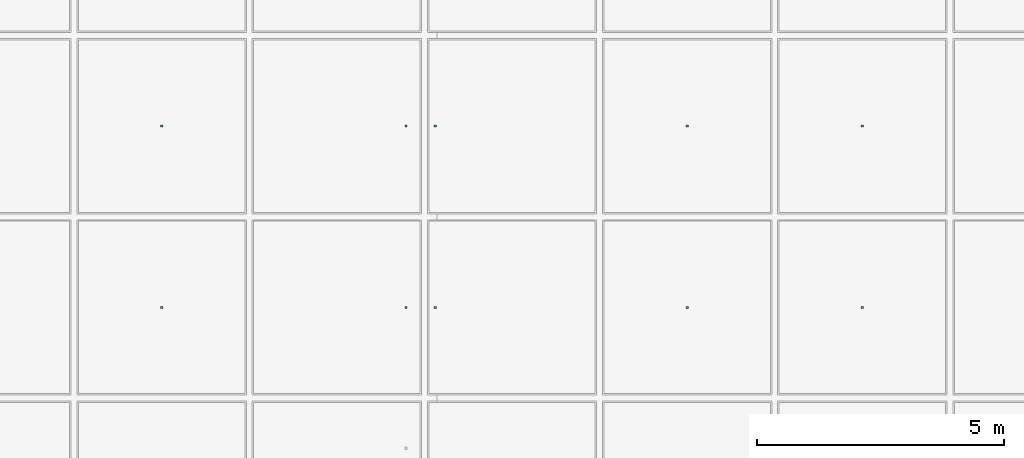
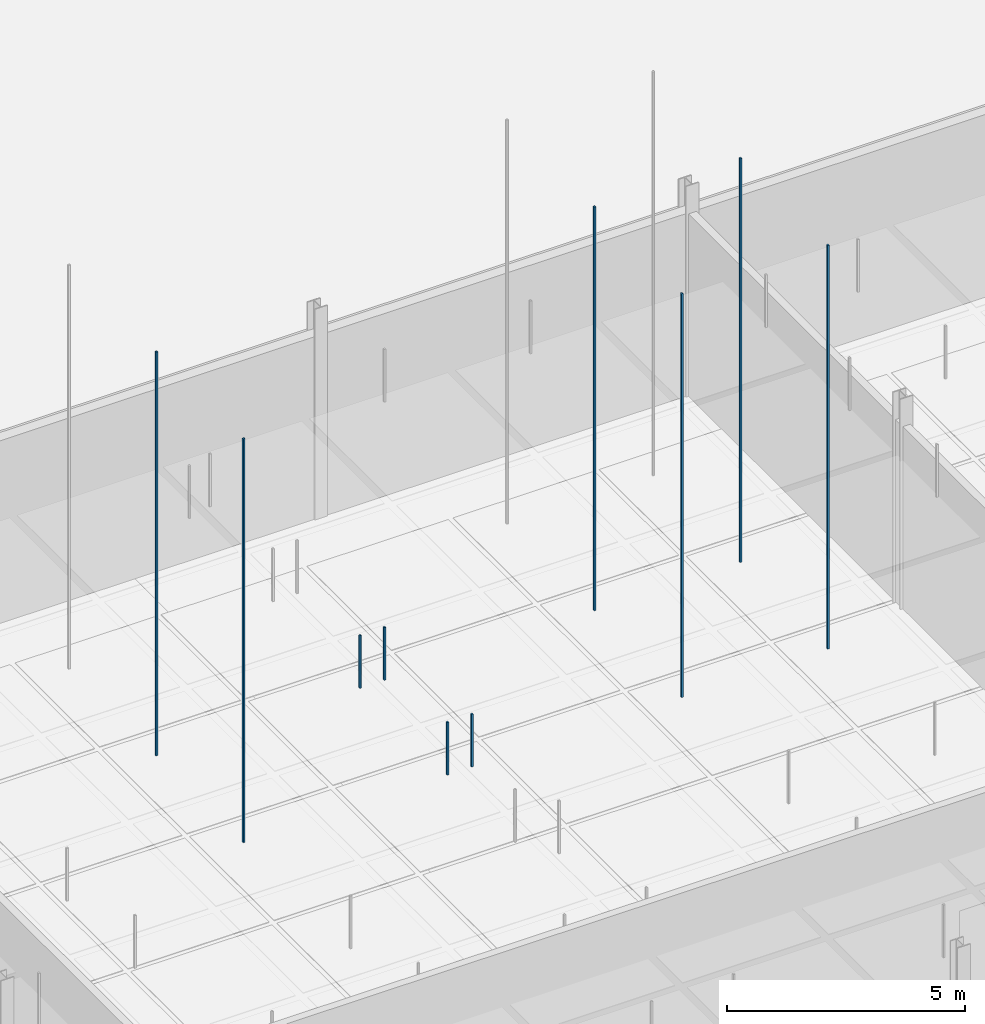
# One storey, part 150 of 180: 10 discrete accessories.
"""IFC4 building model written with IfcOpenShell, lengths in metres."""

from ifc_helpers import new_model, si_unit, direction, frame, origin, origin_2d, place, context, subcontext, project, spatial, rectangle, extrude, material, type_object, element, save


model = new_model("IFC4")

# Units and contexts
model_context = context("Model", 3, precision=1e-05, world=origin(), true_north=direction((0.0, 1.0)))
body_context = subcontext(model_context, "Body", "Model", "MODEL_VIEW")
ifc_project = project(units=[si_unit("LENGTHUNIT", "METRE"), si_unit("AREAUNIT", "SQUARE_METRE"), si_unit("VOLUMEUNIT", "CUBIC_METRE"), si_unit("PLANEANGLEUNIT", "RADIAN"), si_unit("MASSUNIT", "GRAM", prefix="KILO"), si_unit("THERMODYNAMICTEMPERATUREUNIT", "KELVIN"), si_unit("POWERUNIT", "WATT")], contexts=[model_context])

# Site, building, storey
site_placement = place(None, origin())
site = spatial("IfcSite", under=ifc_project, at=site_placement, CompositionType="ELEMENT")
building_placement = place(site_placement, origin())
building = spatial("IfcBuilding", under=site, at=building_placement, Name="Tallowbark Science Centre", CompositionType="ELEMENT")
storey_placement = place(building_placement, origin())
storey = spatial("IfcBuildingStorey", under=building, at=storey_placement, Name="L00", CompositionType="ELEMENT", Elevation=0.0)

# Discrete accessories
ifc_material = material(Name="Galvanised Steel Grade C350L0 (350 MPa)", Category="steel")
discrete_accessory_type = type_object("IfcDiscreteAccessoryType", Name="ACC-CLG-HNG", PredefinedType="BRACKET", material=ifc_material)
for number, where, z_axis, x_axis, name in (
    (1, (129.4375, 21.666748046875, 3.8095703125), (0.0, 0.0, 1.0), (1.0, 0.0, 0.0), "Ceiling Hanger Bracket L00-230"),
    (2, (129.4375, 25.333251953125, 3.8095703125), (0.0, 0.0, 1.0), (1.0, 0.0, 0.0), "Ceiling Hanger Bracket L00-231"),
):
    element("IfcDiscreteAccessory", number, at=place(storey_placement, frame(where, z_axis=z_axis, x_axis=x_axis)), inside=storey, type_object=discrete_accessory_type, Name=name, PredefinedType="BRACKET", context=body_context, shape_type="SweptSolid", body=[
        extrude(rectangle(XDim=0.044921875, YDim=0.044921875, at=origin_2d()), origin(), (0.0, 0.0, 1.0), 10.353515625),
    ])
for number, where, z_axis, x_axis, name in (
    (3, (134.3798828125, 21.666748046875, 3.8095703125), (0.0, 0.0, 1.0), (1.0, 0.0, 0.0), "Ceiling Hanger Bracket L00-239"),
    (4, (134.3798828125, 25.333251953125, 3.8095703125), (0.0, 0.0, 1.0), (1.0, 0.0, 0.0), "Ceiling Hanger Bracket L00-240"),
    (5, (134.969970703125, 21.666748046875, 3.8095703125), (0.0, 0.0, 1.0), (1.0, 0.0, 0.0), "Ceiling Hanger Bracket L00-248"),
    (6, (134.969970703125, 25.333251953125, 3.8095703125), (0.0, 0.0, 1.0), (1.0, 0.0, 0.0), "Ceiling Hanger Bracket L00-249"),
):
    element("IfcDiscreteAccessory", number, at=place(storey_placement, frame(where, z_axis=z_axis, x_axis=x_axis)), inside=storey, type_object=discrete_accessory_type, Name=name, PredefinedType="BRACKET", context=body_context, shape_type="SweptSolid", body=[
        extrude(rectangle(XDim=0.044921875, YDim=0.044921875, at=origin_2d()), origin(), (0.0, 0.0, 1.0), 1.353515625),
    ])
for number, where, z_axis, x_axis, name in (
    (7, (140.0625, 21.666748046875, 3.8095703125), (0.0, 0.0, 1.0), (1.0, 0.0, 0.0), "Ceiling Hanger Bracket L00-257"),
    (8, (140.0625, 25.333251953125, 3.8095703125), (0.0, 0.0, 1.0), (1.0, 0.0, 0.0), "Ceiling Hanger Bracket L00-258"),
    (9, (143.604248046875, 21.666748046875, 3.8095703125), (0.0, 0.0, 1.0), (1.0, 0.0, 0.0), "Ceiling Hanger Bracket L00-266"),
    (10, (143.604248046875, 25.333251953125, 3.8095703125), (0.0, 0.0, 1.0), (1.0, 0.0, 0.0), "Ceiling Hanger Bracket L00-267"),
):
    element("IfcDiscreteAccessory", number, at=place(storey_placement, frame(where, z_axis=z_axis, x_axis=x_axis)), inside=storey, type_object=discrete_accessory_type, Name=name, PredefinedType="BRACKET", context=body_context, shape_type="SweptSolid", body=[
        extrude(rectangle(XDim=0.044921875, YDim=0.044921875, at=origin_2d()), origin(), (0.0, 0.0, 1.0), 10.353515625),
    ])

save(model, "model.ifc")
